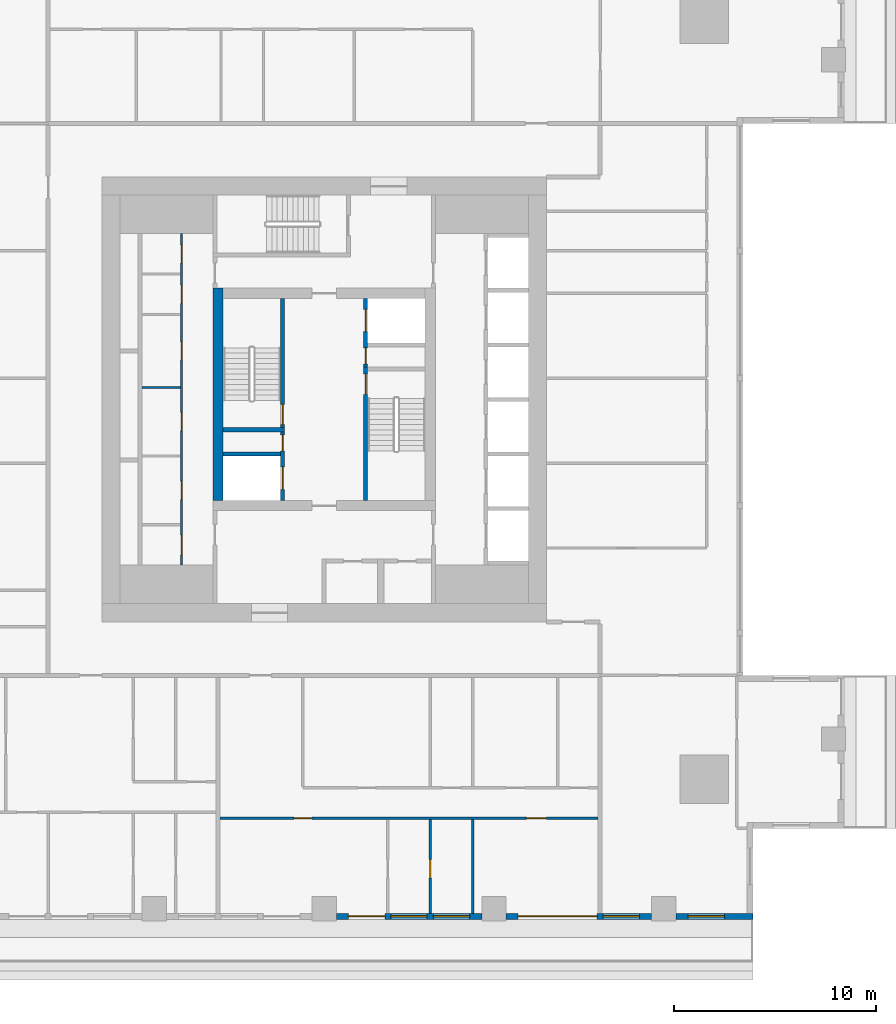
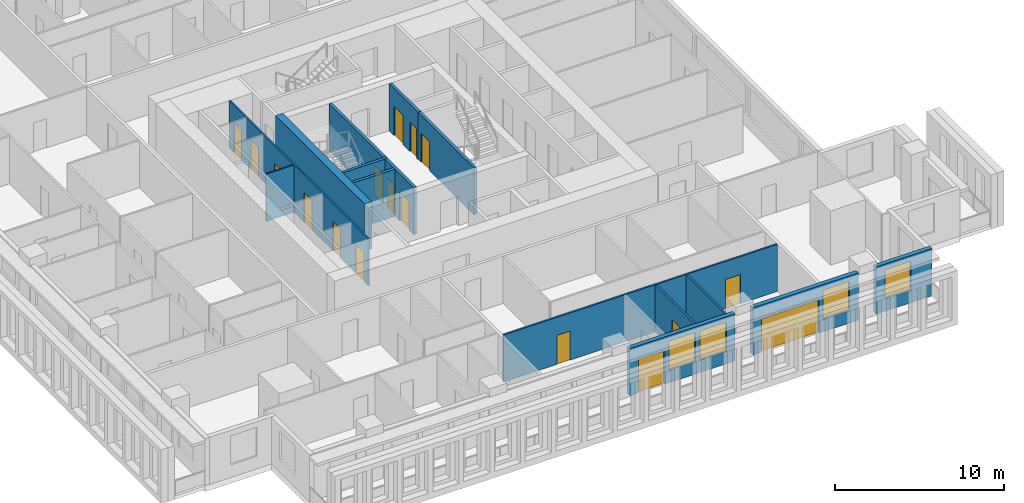
# One storey, part 4 of 15: 17 doors, 15 walls, 4 windows, 21 openings.
"""IFC4 building model written with IfcOpenShell, lengths in metres."""

from ifc_helpers import new_model, si_unit, direction, frame, frame_2d, origin, place, context, subcontext, project, spatial, rectangle, extrude, material, layer, layer_set, type_object, element, fill, save


model = new_model("IFC4")

# Units and contexts
model_context = context("Model", 3, precision=1e-05, world=origin(), true_north=direction((0.0, 1.0)))
body_context = subcontext(model_context, "Body", "Model", "MODEL_VIEW")
ifc_project = project(units=[si_unit("LENGTHUNIT", "METRE"), si_unit("AREAUNIT", "SQUARE_METRE"), si_unit("VOLUMEUNIT", "CUBIC_METRE"), si_unit("PLANEANGLEUNIT", "RADIAN"), si_unit("MASSUNIT", "GRAM", prefix="KILO")], contexts=[model_context])

# Site, building, storey
site_placement = place(None, origin())
site = spatial("IfcSite", under=ifc_project, at=site_placement, CompositionType="ELEMENT")
building_placement = place(site_placement, origin())
building = spatial("IfcBuilding", under=site, at=building_placement, Name="Khepri Terraces", CompositionType="ELEMENT")
storey_placement = place(building_placement, frame((0.0, 0.0, 231.300048828125)))
storey = spatial("IfcBuildingStorey", under=building, at=storey_placement, Name="L55", CompositionType="ELEMENT", Elevation=231.300048828125)

# Wall, opening, door
ifc_material_1 = material(Name="Concrete C50/60", Category="concrete")
ifc_layer_1 = layer(ifc_material_1, 0.199951171875, Name="Concrete C50/60", Category="concrete")
ifc_layer_set_1 = layer_set([ifc_layer_1], Name="Concrete C50/60")
wall_type_1 = type_object("IfcWallType", Name="Core wall 200 C50/60", PredefinedType="SHEAR", material=ifc_layer_set_1)
wall_1_placement = place(storey_placement, frame((2.050048828125, -5.0, 0.0), z_axis=(0.0, 0.0, 1.0), x_axis=(0.0, 1.0, 0.0)))
wall_1 = element("IfcWall", 1, at=wall_1_placement, inside=storey, type_object=wall_type_1, Name="Core wall ST01 L55", PredefinedType="SHEAR", context=body_context, shape_type="SweptSolid", body=[
    extrude(rectangle(XDim=6.60009765625, YDim=0.199951171875, at=frame_2d((3.300048828125, 0.0))), origin(), (0.0, 0.0, 1.0), 3.39990234375),
])
opening_1_placement = place(wall_1_placement, frame((5.25, 0.0, 0.0)))
opening_1 = element("IfcOpeningElement", 2, at=opening_1_placement, cuts=wall_1, Name="Opening L55-C10", PredefinedType="OPENING", context=body_context, shape_type="SweptSolid", body=[
    extrude(rectangle(XDim=1.0, YDim=2.10009765625, at=frame_2d((0.5, 1.050048828125))), frame((0.0, 0.10986328125, 0.0), z_axis=(0.0, -1.0, 0.0), x_axis=(1.0, 0.0, 0.0)), (0.0, 0.0, 1.0), 0.219970703125),
])
ifc_material_2 = material(Name="Painted steel", Category="steel")
door_type_1 = type_object("IfcDoorType", Name="DR-CORE-STAIR-1000", OperationType="NOTDEFINED", PredefinedType="DOOR", material=ifc_material_2)
door_1_placement = place(opening_1_placement, frame((1.0, 0.0, 0.0), z_axis=(0.0, 0.0, 1.0), x_axis=(-1.0, 0.0, 0.0)))
door_1 = element("IfcDoor", 3, at=door_1_placement, inside=storey, type_object=door_type_1, Name="Stair door L55-C10", OperationType="SINGLE_SWING_LEFT", OverallHeight=2.10009765625, OverallWidth=1.0, PredefinedType="DOOR", context=body_context, shape_type="SweptSolid", body=[
    extrude(rectangle(XDim=1.0, YDim=2.10009765625, at=frame_2d((0.5, 1.050048828125))), frame((0.0, 0.02490234375, 0.0), z_axis=(0.0, -1.0, 0.0), x_axis=(1.0, 0.0, 0.0)), (0.0, 0.0, 1.0), 0.050048828125),
])
fill(opening_1, door_1)

# Wall
wall_2_placement = place(storey_placement, frame((-5.0, -1.5, 0.0), z_axis=(0.0, 0.0, 1.0), x_axis=(1.0, 0.0, 0.0)))
element("IfcWall", 4, at=wall_2_placement, inside=storey, type_object=wall_type_1, Name="Core wall ST02 L55", PredefinedType="SHEAR", context=body_context, shape_type="SweptSolid", body=[
    extrude(rectangle(XDim=3.050048828125, YDim=0.199951171875, at=frame_2d((1.52490234375, 0.0))), origin(), (0.0, 0.0, 1.0), 3.39990234375),
])

# Wall, opening, door
wall_3_placement = place(storey_placement, frame((-2.050048828125, -1.39990234375, 0.0), z_axis=(0.0, 0.0, 1.0), x_axis=(0.0, 1.0, 0.0)))
wall_3 = element("IfcWall", 5, at=wall_3_placement, inside=storey, type_object=wall_type_1, Name="Core wall ST03 L55", PredefinedType="SHEAR", context=body_context, shape_type="SweptSolid", body=[
    extrude(rectangle(XDim=6.39990234375, YDim=0.199951171875, at=frame_2d((3.199951171875, 0.0))), origin(), (0.0, 0.0, 1.0), 3.39990234375),
])
opening_2_placement = place(wall_3_placement, frame((0.14990234375, 0.0, 0.0)))
opening_2 = element("IfcOpeningElement", 6, at=opening_2_placement, cuts=wall_3, Name="Opening L55-C09", PredefinedType="OPENING", context=body_context, shape_type="SweptSolid", body=[
    extrude(rectangle(XDim=1.0, YDim=2.10009765625, at=frame_2d((0.5, 1.050048828125))), frame((0.0, 0.10986328125, 0.0), z_axis=(0.0, -1.0, 0.0), x_axis=(1.0, 0.0, 0.0)), (0.0, 0.0, 1.0), 0.219970703125),
])
door_2_placement = place(opening_2_placement, origin())
door_2 = element("IfcDoor", 7, at=door_2_placement, inside=storey, type_object=door_type_1, Name="Stair door L55-C09", OperationType="SINGLE_SWING_LEFT", OverallHeight=2.10009765625, OverallWidth=1.0, PredefinedType="DOOR", context=body_context, shape_type="SweptSolid", body=[
    extrude(rectangle(XDim=1.0, YDim=2.10009765625, at=frame_2d((0.5, 1.050048828125))), frame((0.0, 0.02490234375, 0.0), z_axis=(0.0, -1.0, 0.0), x_axis=(1.0, 0.0, 0.0)), (0.0, 0.0, 1.0), 0.050048828125),
])
fill(opening_2, door_2)

# Wall, openings, doors
wall_4_placement = place(storey_placement, frame((-2.050048828125, -5.0, 0.0), z_axis=(0.0, 0.0, 1.0), x_axis=(0.0, 1.0, 0.0)))
wall_4 = element("IfcWall", 8, at=wall_4_placement, inside=storey, type_object=wall_type_1, Name="Core wall SH05 L55", PredefinedType="SHEAR", context=body_context, shape_type="SweptSolid", body=[
    extrude(rectangle(XDim=3.39990234375, YDim=0.199951171875, at=frame_2d((1.699951171875, 0.0))), origin(), (0.0, 0.0, 1.0), 3.39990234375),
])
opening_3_placement = place(wall_4_placement, frame((0.550048828125, 0.0, 0.0)))
opening_3 = element("IfcOpeningElement", 9, at=opening_3_placement, cuts=wall_4, Name="Opening L55-C08", PredefinedType="OPENING", context=body_context, shape_type="SweptSolid", body=[
    extrude(rectangle(XDim=1.10009765625, YDim=2.10009765625, at=frame_2d((0.550048828125, 1.050048828125))), frame((0.0, 0.10986328125, 0.0), z_axis=(0.0, -1.0, 0.0), x_axis=(1.0, 0.0, 0.0)), (0.0, 0.0, 1.0), 0.219970703125),
])
opening_4_placement = place(wall_4_placement, frame((2.449951171875, 0.0, 0.0)))
opening_4 = element("IfcOpeningElement", 10, at=opening_4_placement, cuts=wall_4, Name="Opening L55-C12", PredefinedType="OPENING", context=body_context, shape_type="SweptSolid", body=[
    extrude(rectangle(XDim=0.800048828125, YDim=2.10009765625, at=frame_2d((0.39990234375, 1.050048828125))), frame((0.0, 0.10986328125, 0.0), z_axis=(0.0, -1.0, 0.0), x_axis=(1.0, 0.0, 0.0)), (0.0, 0.0, 1.0), 0.219970703125),
])
ifc_material_3 = material(Name="Stainless steel 304", Category="steel")
door_type_2 = type_object("IfcDoorType", Name="DR-CORE-FF-LANDING-1100", OperationType="NOTDEFINED", PredefinedType="DOOR", material=ifc_material_3)
door_3_placement = place(opening_3_placement, origin())
door_3 = element("IfcDoor", 11, at=door_3_placement, inside=storey, type_object=door_type_2, Name="Firefighting lift landing door L55-C08", OperationType="SLIDING_TO_LEFT", OverallHeight=2.10009765625, OverallWidth=1.10009765625, PredefinedType="DOOR", context=body_context, shape_type="SweptSolid", body=[
    extrude(rectangle(XDim=1.10009765625, YDim=2.10009765625, at=frame_2d((0.550048828125, 1.050048828125))), frame((0.0, 0.02490234375, 0.0), z_axis=(0.0, -1.0, 0.0), x_axis=(1.0, 0.0, 0.0)), (0.0, 0.0, 1.0), 0.050048828125),
])
fill(opening_3, door_3)
door_type_3 = type_object("IfcDoorType", Name="DR-CORE-RISER-800", OperationType="NOTDEFINED", PredefinedType="DOOR", material=ifc_material_2)
door_4_placement = place(opening_4_placement, origin())
door_4 = element("IfcDoor", 12, at=door_4_placement, inside=storey, type_object=door_type_3, Name="Riser door L55-C12", OperationType="SINGLE_SWING_RIGHT", OverallHeight=2.10009765625, OverallWidth=0.800048828125, PredefinedType="DOOR", context=body_context, shape_type="SweptSolid", body=[
    extrude(rectangle(XDim=0.800048828125, YDim=2.10009765625, at=frame_2d((0.39990234375, 1.050048828125))), frame((0.0, 0.02490234375, 0.0), z_axis=(0.0, -1.0, 0.0), x_axis=(1.0, 0.0, 0.0)), (0.0, 0.0, 1.0), 0.050048828125),
])
fill(opening_4, door_4)

# Wall
wall_5_placement = place(storey_placement, frame((-5.0, -2.699951171875, 0.0), z_axis=(0.0, 0.0, 1.0), x_axis=(1.0, 0.0, 0.0)))
element("IfcWall", 13, at=wall_5_placement, inside=storey, type_object=wall_type_1, Name="Core wall SH07 L55", PredefinedType="SHEAR", context=body_context, shape_type="SweptSolid", body=[
    extrude(rectangle(XDim=2.85009765625, YDim=0.199951171875, at=frame_2d((1.425048828125, 0.0))), origin(), (0.0, 0.0, 1.0), 3.39990234375),
])

# Wall, openings, doors
wall_6_placement = place(storey_placement, frame((2.050048828125, 1.60009765625, 0.0), z_axis=(0.0, 0.0, 1.0), x_axis=(0.0, 1.0, 0.0)))
wall_6 = element("IfcWall", 14, at=wall_6_placement, inside=storey, type_object=wall_type_1, Name="Core wall SH10 L55", PredefinedType="SHEAR", context=body_context, shape_type="SweptSolid", body=[
    extrude(rectangle(XDim=3.39990234375, YDim=0.199951171875, at=frame_2d((1.699951171875, 0.0))), origin(), (0.0, 0.0, 1.0), 3.39990234375),
])
opening_5_placement = place(wall_6_placement, frame((1.75, 0.0, 0.0)))
opening_5 = element("IfcOpeningElement", 15, at=opening_5_placement, cuts=wall_6, Name="Opening L55-C07", PredefinedType="OPENING", context=body_context, shape_type="SweptSolid", body=[
    extrude(rectangle(XDim=1.10009765625, YDim=2.10009765625, at=frame_2d((0.550048828125, 1.050048828125))), frame((0.0, 0.10986328125, 0.0), z_axis=(0.0, -1.0, 0.0), x_axis=(1.0, 0.0, 0.0)), (0.0, 0.0, 1.0), 0.219970703125),
])
opening_6_placement = place(wall_6_placement, frame((0.14990234375, 0.0, 0.0)))
opening_6 = element("IfcOpeningElement", 16, at=opening_6_placement, cuts=wall_6, Name="Opening L55-C11", PredefinedType="OPENING", context=body_context, shape_type="SweptSolid", body=[
    extrude(rectangle(XDim=0.800048828125, YDim=2.10009765625, at=frame_2d((0.39990234375, 1.050048828125))), frame((0.0, 0.10986328125, 0.0), z_axis=(0.0, -1.0, 0.0), x_axis=(1.0, 0.0, 0.0)), (0.0, 0.0, 1.0), 0.219970703125),
])
door_5_placement = place(opening_5_placement, origin())
door_5 = element("IfcDoor", 17, at=door_5_placement, inside=storey, type_object=door_type_2, Name="Firefighting lift landing door L55-C07", OperationType="SLIDING_TO_LEFT", OverallHeight=2.10009765625, OverallWidth=1.10009765625, PredefinedType="DOOR", context=body_context, shape_type="SweptSolid", body=[
    extrude(rectangle(XDim=1.10009765625, YDim=2.10009765625, at=frame_2d((0.550048828125, 1.050048828125))), frame((0.0, 0.02490234375, 0.0), z_axis=(0.0, -1.0, 0.0), x_axis=(1.0, 0.0, 0.0)), (0.0, 0.0, 1.0), 0.050048828125),
])
fill(opening_5, door_5)
door_6_placement = place(opening_6_placement, frame((0.800048828125, 0.0, 0.0), z_axis=(0.0, 0.0, 1.0), x_axis=(-1.0, 0.0, 0.0)))
door_6 = element("IfcDoor", 18, at=door_6_placement, inside=storey, type_object=door_type_3, Name="Riser door L55-C11", OperationType="SINGLE_SWING_RIGHT", OverallHeight=2.10009765625, OverallWidth=0.800048828125, PredefinedType="DOOR", context=body_context, shape_type="SweptSolid", body=[
    extrude(rectangle(XDim=0.800048828125, YDim=2.10009765625, at=frame_2d((0.39990234375, 1.050048828125))), frame((0.0, 0.02490234375, 0.0), z_axis=(0.0, -1.0, 0.0), x_axis=(1.0, 0.0, 0.0)), (0.0, 0.0, 1.0), 0.050048828125),
])
fill(opening_6, door_6)

# Wall
ifc_layer_2 = layer(ifc_material_1, 0.5, Name="Concrete C50/60", Category="concrete")
ifc_layer_set_2 = layer_set([ifc_layer_2], Name="Concrete C50/60")
wall_type_2 = type_object("IfcWallType", Name="Core wall 500 C50/60", PredefinedType="SHEAR", material=ifc_layer_set_2)
wall_7_placement = place(storey_placement, frame((-5.25, -5.0, 0.0), z_axis=(0.0, 0.0, 1.0), x_axis=(0.0, 1.0, 0.0)))
element("IfcWall", 19, at=wall_7_placement, inside=storey, type_object=wall_type_2, Name="Core wall BX02 L55", PredefinedType="SHEAR", context=body_context, shape_type="SweptSolid", body=[
    extrude(rectangle(XDim=10.5, YDim=0.5, at=frame_2d((5.25, 0.0))), origin(), (0.0, 0.0, 1.0), 3.39990234375),
])

# Wall, openings, doors
ifc_material_4 = material(Name="Fire-rated gypsum board partition")
ifc_layer_3 = layer(ifc_material_4, 0.10009765625, Name="Fire-rated gypsum board partition")
ifc_layer_set_3 = layer_set([ifc_layer_3], Name="Fire-rated gypsum board partition")
wall_type_3 = type_object("IfcWallType", Name="WL-CORE-PART-100", PredefinedType="PARTITIONING", material=ifc_layer_set_3)
wall_8_placement = place(storey_placement, frame((-7.050048828125, -8.199951171875, 0.0), z_axis=(0.0, 0.0, 1.0), x_axis=(0.0, 1.0, 0.0)))
wall_8 = element("IfcWall", 20, at=wall_8_placement, inside=storey, type_object=wall_type_3, Name="Core partition PT05 L55", PredefinedType="PARTITIONING", context=body_context, shape_type="SweptSolid", body=[
    extrude(rectangle(XDim=16.39990234375, YDim=0.10009765625, at=frame_2d((8.199951171875, 0.0))), origin(), (0.0, 0.0, 1.0), 3.39990234375),
])
opening_7_placement = place(wall_8_placement, frame((0.5, 0.0, 0.0)))
opening_7 = element("IfcOpeningElement", 21, at=opening_7_placement, cuts=wall_8, Name="Opening L55-C24", PredefinedType="OPENING", context=body_context, shape_type="SweptSolid", body=[
    extrude(rectangle(XDim=1.0, YDim=2.10009765625, at=frame_2d((0.5, 1.050048828125))), frame((0.0, 0.06005859375, 0.0), z_axis=(0.0, -1.0, 0.0), x_axis=(1.0, 0.0, 0.0)), (0.0, 0.0, 1.0), 0.1201171875),
])
opening_8_placement = place(wall_8_placement, frame((3.25, 0.0, 0.0)))
opening_8 = element("IfcOpeningElement", 22, at=opening_8_placement, cuts=wall_8, Name="Opening L55-C25", PredefinedType="OPENING", context=body_context, shape_type="SweptSolid", body=[
    extrude(rectangle(XDim=0.89990234375, YDim=2.10009765625, at=frame_2d((0.449951171875, 1.050048828125))), frame((0.0, 0.06005859375, 0.0), z_axis=(0.0, -1.0, 0.0), x_axis=(1.0, 0.0, 0.0)), (0.0, 0.0, 1.0), 0.1201171875),
])
opening_9_placement = place(wall_8_placement, frame((6.64990234375, 0.0, 0.0)))
opening_9 = element("IfcOpeningElement", 23, at=opening_9_placement, cuts=wall_8, Name="Opening L55-C26", PredefinedType="OPENING", context=body_context, shape_type="SweptSolid", body=[
    extrude(rectangle(XDim=0.89990234375, YDim=2.10009765625, at=frame_2d((0.449951171875, 1.050048828125))), frame((0.0, 0.06005859375, 0.0), z_axis=(0.0, -1.0, 0.0), x_axis=(1.0, 0.0, 0.0)), (0.0, 0.0, 1.0), 0.1201171875),
])
opening_10_placement = place(wall_8_placement, frame((10.14990234375, 0.0, 0.0)))
opening_10 = element("IfcOpeningElement", 24, at=opening_10_placement, cuts=wall_8, Name="Opening L55-C27", PredefinedType="OPENING", context=body_context, shape_type="SweptSolid", body=[
    extrude(rectangle(XDim=0.89990234375, YDim=2.10009765625, at=frame_2d((0.449951171875, 1.050048828125))), frame((0.0, 0.06005859375, 0.0), z_axis=(0.0, -1.0, 0.0), x_axis=(1.0, 0.0, 0.0)), (0.0, 0.0, 1.0), 0.1201171875),
])
opening_11_placement = place(wall_8_placement, frame((12.949951171875, 0.0, 0.0)))
opening_11 = element("IfcOpeningElement", 25, at=opening_11_placement, cuts=wall_8, Name="Opening L55-C28", PredefinedType="OPENING", context=body_context, shape_type="SweptSolid", body=[
    extrude(rectangle(XDim=0.89990234375, YDim=2.10009765625, at=frame_2d((0.449951171875, 1.050048828125))), frame((0.0, 0.06005859375, 0.0), z_axis=(0.0, -1.0, 0.0), x_axis=(1.0, 0.0, 0.0)), (0.0, 0.0, 1.0), 0.1201171875),
])
opening_12_placement = place(wall_8_placement, frame((14.949951171875, 0.0, 0.0)))
opening_12 = element("IfcOpeningElement", 26, at=opening_12_placement, cuts=wall_8, Name="Opening L55-C29", PredefinedType="OPENING", context=body_context, shape_type="SweptSolid", body=[
    extrude(rectangle(XDim=0.89990234375, YDim=2.10009765625, at=frame_2d((0.449951171875, 1.050048828125))), frame((0.0, 0.06005859375, 0.0), z_axis=(0.0, -1.0, 0.0), x_axis=(1.0, 0.0, 0.0)), (0.0, 0.0, 1.0), 0.1201171875),
])
door_type_4 = type_object("IfcDoorType", Name="DR-CORE-SERVICE-900", OperationType="NOTDEFINED", PredefinedType="DOOR", material=ifc_material_2)
door_7_placement = place(opening_8_placement, origin())
door_7 = element("IfcDoor", 27, at=door_7_placement, inside=storey, type_object=door_type_4, Name="Service room door L55-C25", OperationType="SINGLE_SWING_LEFT", OverallHeight=2.10009765625, OverallWidth=0.89990234375, PredefinedType="DOOR", context=body_context, shape_type="SweptSolid", body=[
    extrude(rectangle(XDim=0.89990234375, YDim=2.10009765625, at=frame_2d((0.449951171875, 1.050048828125))), frame((0.0, 0.02490234375, 0.0), z_axis=(0.0, -1.0, 0.0), x_axis=(1.0, 0.0, 0.0)), (0.0, 0.0, 1.0), 0.050048828125),
])
fill(opening_8, door_7)
door_8_placement = place(opening_9_placement, origin())
door_8 = element("IfcDoor", 28, at=door_8_placement, inside=storey, type_object=door_type_4, Name="Service room door L55-C26", OperationType="SINGLE_SWING_LEFT", OverallHeight=2.10009765625, OverallWidth=0.89990234375, PredefinedType="DOOR", context=body_context, shape_type="SweptSolid", body=[
    extrude(rectangle(XDim=0.89990234375, YDim=2.10009765625, at=frame_2d((0.449951171875, 1.050048828125))), frame((0.0, 0.02490234375, 0.0), z_axis=(0.0, -1.0, 0.0), x_axis=(1.0, 0.0, 0.0)), (0.0, 0.0, 1.0), 0.050048828125),
])
fill(opening_9, door_8)
door_9_placement = place(opening_10_placement, origin())
door_9 = element("IfcDoor", 29, at=door_9_placement, inside=storey, type_object=door_type_4, Name="Service room door L55-C27", OperationType="SINGLE_SWING_RIGHT", OverallHeight=2.10009765625, OverallWidth=0.89990234375, PredefinedType="DOOR", context=body_context, shape_type="SweptSolid", body=[
    extrude(rectangle(XDim=0.89990234375, YDim=2.10009765625, at=frame_2d((0.449951171875, 1.050048828125))), frame((0.0, 0.02490234375, 0.0), z_axis=(0.0, -1.0, 0.0), x_axis=(1.0, 0.0, 0.0)), (0.0, 0.0, 1.0), 0.050048828125),
])
fill(opening_10, door_9)
door_10_placement = place(opening_11_placement, origin())
door_10 = element("IfcDoor", 30, at=door_10_placement, inside=storey, type_object=door_type_4, Name="Service room door L55-C28", OperationType="SINGLE_SWING_RIGHT", OverallHeight=2.10009765625, OverallWidth=0.89990234375, PredefinedType="DOOR", context=body_context, shape_type="SweptSolid", body=[
    extrude(rectangle(XDim=0.89990234375, YDim=2.10009765625, at=frame_2d((0.449951171875, 1.050048828125))), frame((0.0, 0.02490234375, 0.0), z_axis=(0.0, -1.0, 0.0), x_axis=(1.0, 0.0, 0.0)), (0.0, 0.0, 1.0), 0.050048828125),
])
fill(opening_11, door_10)
door_11_placement = place(opening_12_placement, origin())
door_11 = element("IfcDoor", 31, at=door_11_placement, inside=storey, type_object=door_type_4, Name="Service room door L55-C29", OperationType="SINGLE_SWING_RIGHT", OverallHeight=2.10009765625, OverallWidth=0.89990234375, PredefinedType="DOOR", context=body_context, shape_type="SweptSolid", body=[
    extrude(rectangle(XDim=0.89990234375, YDim=2.10009765625, at=frame_2d((0.449951171875, 1.050048828125))), frame((0.0, 0.02490234375, 0.0), z_axis=(0.0, -1.0, 0.0), x_axis=(1.0, 0.0, 0.0)), (0.0, 0.0, 1.0), 0.050048828125),
])
fill(opening_12, door_11)
ifc_material_5 = material(Name="Timber veneer", Category="wood")
door_type_5 = type_object("IfcDoorType", Name="DR-CORE-WC-1000", OperationType="NOTDEFINED", PredefinedType="DOOR", material=ifc_material_5)
door_12_placement = place(opening_7_placement, origin())
door_12 = element("IfcDoor", 32, at=door_12_placement, inside=storey, type_object=door_type_5, Name="WC door L55-C24", OperationType="SINGLE_SWING_LEFT", OverallHeight=2.10009765625, OverallWidth=1.0, PredefinedType="DOOR", context=body_context, shape_type="SweptSolid", body=[
    extrude(rectangle(XDim=1.0, YDim=2.10009765625, at=frame_2d((0.5, 1.050048828125))), frame((0.0, 0.02490234375, 0.0), z_axis=(0.0, -1.0, 0.0), x_axis=(1.0, 0.0, 0.0)), (0.0, 0.0, 1.0), 0.050048828125),
])
fill(opening_7, door_12)

# Wall
wall_9_placement = place(storey_placement, frame((-9.0, 0.60009765625, 0.0), z_axis=(0.0, 0.0, 1.0), x_axis=(1.0, 0.0, 0.0)))
element("IfcWall", 33, at=wall_9_placement, inside=storey, type_object=wall_type_3, Name="Core partition PT10 L55", PredefinedType="PARTITIONING", context=body_context, shape_type="SweptSolid", body=[
    extrude(rectangle(XDim=1.89990234375, YDim=0.10009765625, at=frame_2d((0.949951171875, 0.0))), origin(), (0.0, 0.0, 1.0), 3.39990234375),
])

# Wall, openings, door, windows
ifc_material_6 = material(Name="Precast concrete C50/60 warm stone", Category="masonry")
ifc_layer_4 = layer(ifc_material_6, 0.300048828125, Name="Precast concrete C50/60 warm stone", Category="masonry")
ifc_layer_set_4 = layer_set([ifc_layer_4], Name="Precast concrete C50/60 warm stone")
wall_type_4 = type_object("IfcWallType", Name="WL-EXT-PRECAST-300", PredefinedType="STANDARD", material=ifc_layer_set_4)
wall_10_placement = place(storey_placement, frame((0.60009765625, -25.570068359375, 0.0), z_axis=(0.0, 0.0, 1.0), x_axis=(1.0, 0.0, 0.0)))
wall_10 = element("IfcWall", 34, at=wall_10_placement, inside=storey, type_object=wall_type_4, Name="External wall L55 S", PredefinedType="STANDARD", context=body_context, shape_type="SweptSolid", body=[
    extrude(rectangle(XDim=7.199951171875, YDim=0.300048828125, at=frame_2d((3.60009765625, 0.0))), origin(), (0.0, 0.0, 1.0), 3.39990234375),
])
opening_13_placement = place(wall_10_placement, frame((0.60009765625, 0.0, 0.0)))
opening_13 = element("IfcOpeningElement", 35, at=opening_13_placement, cuts=wall_10, Name="Opening ED-L55-15", PredefinedType="OPENING", context=body_context, shape_type="SweptSolid", body=[
    extrude(rectangle(XDim=1.800048828125, YDim=2.39990234375, at=frame_2d((0.89990234375, 1.199951171875))), frame((0.0, 0.16015625, 0.0), z_axis=(0.0, -1.0, 0.0), x_axis=(1.0, 0.0, 0.0)), (0.0, 0.0, 1.0), 0.320068359375),
])
opening_14_placement = place(wall_10_placement, frame((2.699951171875, 0.0, 0.89990234375)))
opening_14 = element("IfcOpeningElement", 36, at=opening_14_placement, cuts=wall_10, Name="Opening W1", PredefinedType="OPENING", context=body_context, shape_type="SweptSolid", body=[
    extrude(rectangle(XDim=1.800048828125, YDim=2.10009765625, at=frame_2d((0.89990234375, 1.050048828125))), frame((0.0, 0.16015625, 0.0), z_axis=(0.0, -1.0, 0.0), x_axis=(1.0, 0.0, 0.0)), (0.0, 0.0, 1.0), 0.320068359375),
])
opening_15_placement = place(wall_10_placement, frame((4.800048828125, 0.0, 0.89990234375)))
opening_15 = element("IfcOpeningElement", 37, at=opening_15_placement, cuts=wall_10, Name="Opening W1", PredefinedType="OPENING", context=body_context, shape_type="SweptSolid", body=[
    extrude(rectangle(XDim=1.800048828125, YDim=2.10009765625, at=frame_2d((0.89990234375, 1.050048828125))), frame((0.0, 0.16015625, 0.0), z_axis=(0.0, -1.0, 0.0), x_axis=(1.0, 0.0, 0.0)), (0.0, 0.0, 1.0), 0.320068359375),
])
ifc_material_7 = material(Name="Anodised aluminium bronze glazed door", Category="aluminium")
door_type_6 = type_object("IfcDoorType", Name="DR-BAL-SLIDE-1800x2400", OperationType="NOTDEFINED", PredefinedType="DOOR", material=ifc_material_7)
door_13_placement = place(opening_13_placement, origin())
door_13 = element("IfcDoor", 38, at=door_13_placement, inside=storey, type_object=door_type_6, Name="Balcony door L55 S", OperationType="SLIDING_TO_LEFT", OverallHeight=2.39990234375, OverallWidth=1.800048828125, PredefinedType="DOOR", context=body_context, shape_type="SweptSolid", body=[
    extrude(rectangle(XDim=1.800048828125, YDim=2.39990234375, at=frame_2d((0.89990234375, 1.199951171875))), frame((0.0, 0.02490234375, 0.0), z_axis=(0.0, -1.0, 0.0), x_axis=(1.0, 0.0, 0.0)), (0.0, 0.0, 1.0), 0.050048828125),
])
fill(opening_13, door_13)
ifc_material_8 = material(Name="Clear glass", Category="glass")
window_type = type_object("IfcWindowType", Name="WIN-RES-1800x2100", PartitioningType="SINGLE_PANEL", PredefinedType="WINDOW", material=ifc_material_8)
window_1_placement = place(opening_14_placement, origin())
window_1 = element("IfcWindow", 39, at=window_1_placement, inside=storey, type_object=window_type, Name="Window L55 S", OverallHeight=2.10009765625, OverallWidth=1.800048828125, PartitioningType="SINGLE_PANEL", PredefinedType="WINDOW", context=body_context, shape_type="SweptSolid", body=[
    extrude(rectangle(XDim=1.800048828125, YDim=2.10009765625, at=frame_2d((0.89990234375, 1.050048828125))), frame((0.0, 0.030029296875, 0.0), z_axis=(0.0, -1.0, 0.0), x_axis=(1.0, 0.0, 0.0)), (0.0, 0.0, 1.0), 0.06005859375),
])
fill(opening_14, window_1)
window_2_placement = place(opening_15_placement, origin())
window_2 = element("IfcWindow", 40, at=window_2_placement, inside=storey, type_object=window_type, Name="Window L55 S", OverallHeight=2.10009765625, OverallWidth=1.800048828125, PartitioningType="SINGLE_PANEL", PredefinedType="WINDOW", context=body_context, shape_type="SweptSolid", body=[
    extrude(rectangle(XDim=1.800048828125, YDim=2.10009765625, at=frame_2d((0.89990234375, 1.050048828125))), frame((0.0, 0.030029296875, 0.0), z_axis=(0.0, -1.0, 0.0), x_axis=(1.0, 0.0, 0.0)), (0.0, 0.0, 1.0), 0.06005859375),
])
fill(opening_15, window_2)

# Wall, openings, door, window
wall_11_placement = place(storey_placement, frame((9.0, -25.570068359375, 0.0), z_axis=(0.0, 0.0, 1.0), x_axis=(1.0, 0.0, 0.0)))
wall_11 = element("IfcWall", 41, at=wall_11_placement, inside=storey, type_object=wall_type_4, Name="External wall L55 S", PredefinedType="STANDARD", context=body_context, shape_type="SweptSolid", body=[
    extrude(rectangle(XDim=7.199951171875, YDim=0.300048828125, at=frame_2d((3.60009765625, 0.0))), origin(), (0.0, 0.0, 1.0), 3.39990234375),
])
opening_16_placement = place(wall_11_placement, frame((0.60009765625, 0.0, 0.0)))
opening_16 = element("IfcOpeningElement", 42, at=opening_16_placement, cuts=wall_11, Name="Opening ED-L55-16", PredefinedType="OPENING", context=body_context, shape_type="SweptSolid", body=[
    extrude(rectangle(XDim=3.89990234375, YDim=2.39990234375, at=frame_2d((1.949951171875, 1.199951171875))), frame((0.0, 0.16015625, 0.0), z_axis=(0.0, -1.0, 0.0), x_axis=(1.0, 0.0, 0.0)), (0.0, 0.0, 1.0), 0.320068359375),
])
opening_17_placement = place(wall_11_placement, frame((4.800048828125, 0.0, 0.89990234375)))
opening_17 = element("IfcOpeningElement", 43, at=opening_17_placement, cuts=wall_11, Name="Opening W1", PredefinedType="OPENING", context=body_context, shape_type="SweptSolid", body=[
    extrude(rectangle(XDim=1.800048828125, YDim=2.10009765625, at=frame_2d((0.89990234375, 1.050048828125))), frame((0.0, 0.16015625, 0.0), z_axis=(0.0, -1.0, 0.0), x_axis=(1.0, 0.0, 0.0)), (0.0, 0.0, 1.0), 0.320068359375),
])
door_type_7 = type_object("IfcDoorType", Name="DR-BAL-SLIDE-3900x2400", OperationType="NOTDEFINED", PredefinedType="DOOR", material=ifc_material_7)
door_14_placement = place(opening_16_placement, origin())
door_14 = element("IfcDoor", 44, at=door_14_placement, inside=storey, type_object=door_type_7, Name="Balcony door L55 S", OperationType="SLIDING_TO_LEFT", OverallHeight=2.39990234375, OverallWidth=3.89990234375, PredefinedType="DOOR", context=body_context, shape_type="SweptSolid", body=[
    extrude(rectangle(XDim=3.89990234375, YDim=2.39990234375, at=frame_2d((1.949951171875, 1.199951171875))), frame((0.0, 0.02490234375, 0.0), z_axis=(0.0, -1.0, 0.0), x_axis=(1.0, 0.0, 0.0)), (0.0, 0.0, 1.0), 0.050048828125),
])
fill(opening_16, door_14)
window_3_placement = place(opening_17_placement, origin())
window_3 = element("IfcWindow", 45, at=window_3_placement, inside=storey, type_object=window_type, Name="Window L55 S", OverallHeight=2.10009765625, OverallWidth=1.800048828125, PartitioningType="SINGLE_PANEL", PredefinedType="WINDOW", context=body_context, shape_type="SweptSolid", body=[
    extrude(rectangle(XDim=1.800048828125, YDim=2.10009765625, at=frame_2d((0.89990234375, 1.050048828125))), frame((0.0, 0.030029296875, 0.0), z_axis=(0.0, -1.0, 0.0), x_axis=(1.0, 0.0, 0.0)), (0.0, 0.0, 1.0), 0.06005859375),
])
fill(opening_17, window_3)

# Wall, opening, window
wall_12_placement = place(storey_placement, frame((17.39990234375, -25.570068359375, 0.0), z_axis=(0.0, 0.0, 1.0), x_axis=(1.0, 0.0, 0.0)))
wall_12 = element("IfcWall", 46, at=wall_12_placement, inside=storey, type_object=wall_type_4, Name="External wall L55 S", PredefinedType="STANDARD", context=body_context, shape_type="SweptSolid", body=[
    extrude(rectangle(XDim=3.820068359375, YDim=0.300048828125, at=frame_2d((1.91015625, 0.0))), origin(), (0.0, 0.0, 1.0), 3.39990234375),
])
opening_18_placement = place(wall_12_placement, frame((0.60009765625, 0.0, 0.89990234375)))
opening_18 = element("IfcOpeningElement", 47, at=opening_18_placement, cuts=wall_12, Name="Opening W1", PredefinedType="OPENING", context=body_context, shape_type="SweptSolid", body=[
    extrude(rectangle(XDim=1.800048828125, YDim=2.10009765625, at=frame_2d((0.89990234375, 1.050048828125))), frame((0.0, 0.16015625, 0.0), z_axis=(0.0, -1.0, 0.0), x_axis=(1.0, 0.0, 0.0)), (0.0, 0.0, 1.0), 0.320068359375),
])
window_4_placement = place(opening_18_placement, origin())
window_4 = element("IfcWindow", 48, at=window_4_placement, inside=storey, type_object=window_type, Name="Window L55 S", OverallHeight=2.10009765625, OverallWidth=1.800048828125, PartitioningType="SINGLE_PANEL", PredefinedType="WINDOW", context=body_context, shape_type="SweptSolid", body=[
    extrude(rectangle(XDim=1.800048828125, YDim=2.10009765625, at=frame_2d((0.89990234375, 1.050048828125))), frame((0.0, 0.030029296875, 0.0), z_axis=(0.0, -1.0, 0.0), x_axis=(1.0, 0.0, 0.0)), (0.0, 0.0, 1.0), 0.06005859375),
])
fill(opening_18, window_4)

# Wall, opening, door
ifc_material_9 = material(Name="Gypsum plasterboard partition")
ifc_layer_5 = layer(ifc_material_9, 0.1201171875, Name="Gypsum plasterboard partition")
ifc_layer_set_5 = layer_set([ifc_layer_5], Name="Gypsum plasterboard partition")
wall_type_5 = type_object("IfcWallType", Name="WL-PART-120", PredefinedType="PARTITIONING", material=ifc_layer_set_5)
wall_13_placement = place(storey_placement, frame((5.25, -25.419921875, 0.0), z_axis=(0.0, 0.0, 1.0), x_axis=(0.0, 1.0, 0.0)))
wall_13 = element("IfcWall", 49, at=wall_13_placement, inside=storey, type_object=wall_type_5, Name="Partition P-006 L55", PredefinedType="PARTITIONING", context=body_context, shape_type="SweptSolid", body=[
    extrude(rectangle(XDim=4.639892578125, YDim=0.1201171875, at=frame_2d((2.31982421875, 0.0))), origin(), (0.0, 0.0, 1.0), 3.39990234375),
])
opening_19_placement = place(wall_13_placement, frame((1.75, 0.0, 0.0)))
opening_19 = element("IfcOpeningElement", 50, at=opening_19_placement, cuts=wall_13, Name="Opening D4", PredefinedType="OPENING", context=body_context, shape_type="SweptSolid", body=[
    extrude(rectangle(XDim=0.89990234375, YDim=2.10009765625, at=frame_2d((0.449951171875, 1.050048828125))), frame((0.0, 0.070068359375, 0.0), z_axis=(0.0, -1.0, 0.0), x_axis=(1.0, 0.0, 0.0)), (0.0, 0.0, 1.0), 0.14013671875),
])
ifc_material_10 = material(Name="Timber door leaf, moisture resistant", Category="wood")
door_type_8 = type_object("IfcDoorType", Name="DR-WET-900", OperationType="NOTDEFINED", PredefinedType="DOOR", material=ifc_material_10)
door_15_placement = place(opening_19_placement, frame((0.89990234375, 0.0, 0.0), z_axis=(0.0, 0.0, 1.0), x_axis=(-1.0, 0.0, 0.0)))
door_15 = element("IfcDoor", 51, at=door_15_placement, inside=storey, type_object=door_type_8, Name="Door Bathroom", OperationType="SINGLE_SWING_RIGHT", OverallHeight=2.10009765625, OverallWidth=0.89990234375, PredefinedType="DOOR", context=body_context, shape_type="SweptSolid", body=[
    extrude(rectangle(XDim=0.89990234375, YDim=2.10009765625, at=frame_2d((0.449951171875, 1.050048828125))), frame((0.0, 0.02490234375, 0.0), z_axis=(0.0, -1.0, 0.0), x_axis=(1.0, 0.0, 0.0)), (0.0, 0.0, 1.0), 0.050048828125),
])
fill(opening_19, door_15)

# Wall
wall_14_placement = place(storey_placement, frame((7.35009765625, -25.419921875, 0.0), z_axis=(0.0, 0.0, 1.0), x_axis=(0.0, 1.0, 0.0)))
element("IfcWall", 52, at=wall_14_placement, inside=storey, type_object=wall_type_5, Name="Partition P-007 L55", PredefinedType="PARTITIONING", context=body_context, shape_type="SweptSolid", body=[
    extrude(rectangle(XDim=4.639892578125, YDim=0.1201171875, at=frame_2d((2.31982421875, 0.0))), origin(), (0.0, 0.0, 1.0), 3.39990234375),
])

# Wall, openings, doors
wall_15_placement = place(storey_placement, frame((-5.14990234375, -20.719970703125, 0.0), z_axis=(0.0, 0.0, 1.0), x_axis=(1.0, 0.0, 0.0)))
wall_15 = element("IfcWall", 53, at=wall_15_placement, inside=storey, type_object=wall_type_5, Name="Partition P-012 L55", PredefinedType="PARTITIONING", context=body_context, shape_type="SweptSolid", body=[
    extrude(rectangle(XDim=18.699951171875, YDim=0.1201171875, at=frame_2d((9.35009765625, 0.0))), origin(), (0.0, 0.0, 1.0), 3.39990234375),
])
opening_20_placement = place(wall_15_placement, frame((3.64990234375, 0.0, 0.0)))
opening_20 = element("IfcOpeningElement", 54, at=opening_20_placement, cuts=wall_15, Name="Opening D3", PredefinedType="OPENING", context=body_context, shape_type="SweptSolid", body=[
    extrude(rectangle(XDim=0.89990234375, YDim=2.10009765625, at=frame_2d((0.449951171875, 1.050048828125))), frame((0.0, 0.070068359375, 0.0), z_axis=(0.0, -1.0, 0.0), x_axis=(1.0, 0.0, 0.0)), (0.0, 0.0, 1.0), 0.14013671875),
])
opening_21_placement = place(wall_15_placement, frame((15.14990234375, 0.0, 0.0)))
opening_21 = element("IfcOpeningElement", 55, at=opening_21_placement, cuts=wall_15, Name="Opening D2", PredefinedType="OPENING", context=body_context, shape_type="SweptSolid", body=[
    extrude(rectangle(XDim=1.0, YDim=2.10009765625, at=frame_2d((0.5, 1.050048828125))), frame((0.0, 0.070068359375, 0.0), z_axis=(0.0, -1.0, 0.0), x_axis=(1.0, 0.0, 0.0)), (0.0, 0.0, 1.0), 0.14013671875),
])
ifc_material_11 = material(Name="Timber door leaf, living room door", Category="wood")
door_type_9 = type_object("IfcDoorType", Name="DR-INT-1000", OperationType="NOTDEFINED", PredefinedType="DOOR", material=ifc_material_11)
door_16_placement = place(opening_21_placement, frame((1.0, 0.0, 0.0), z_axis=(0.0, 0.0, 1.0), x_axis=(-1.0, 0.0, 0.0)))
door_16 = element("IfcDoor", 56, at=door_16_placement, inside=storey, type_object=door_type_9, Name="Door Living Room", OperationType="SINGLE_SWING_LEFT", OverallHeight=2.10009765625, OverallWidth=1.0, PredefinedType="DOOR", context=body_context, shape_type="SweptSolid", body=[
    extrude(rectangle(XDim=1.0, YDim=2.10009765625, at=frame_2d((0.5, 1.050048828125))), frame((0.0, 0.02490234375, 0.0), z_axis=(0.0, -1.0, 0.0), x_axis=(1.0, 0.0, 0.0)), (0.0, 0.0, 1.0), 0.050048828125),
])
fill(opening_21, door_16)
ifc_material_12 = material(Name="Timber door leaf", Category="wood")
door_type_10 = type_object("IfcDoorType", Name="DR-INT-900", OperationType="NOTDEFINED", PredefinedType="DOOR", material=ifc_material_12)
door_17_placement = place(opening_20_placement, frame((0.89990234375, 0.0, 0.0), z_axis=(0.0, 0.0, 1.0), x_axis=(-1.0, 0.0, 0.0)))
door_17 = element("IfcDoor", 57, at=door_17_placement, inside=storey, type_object=door_type_10, Name="Door Master Bedroom", OperationType="SINGLE_SWING_RIGHT", OverallHeight=2.10009765625, OverallWidth=0.89990234375, PredefinedType="DOOR", context=body_context, shape_type="SweptSolid", body=[
    extrude(rectangle(XDim=0.89990234375, YDim=2.10009765625, at=frame_2d((0.449951171875, 1.050048828125))), frame((0.0, 0.02490234375, 0.0), z_axis=(0.0, -1.0, 0.0), x_axis=(1.0, 0.0, 0.0)), (0.0, 0.0, 1.0), 0.050048828125),
])
fill(opening_20, door_17)

save(model, "model.ifc")
